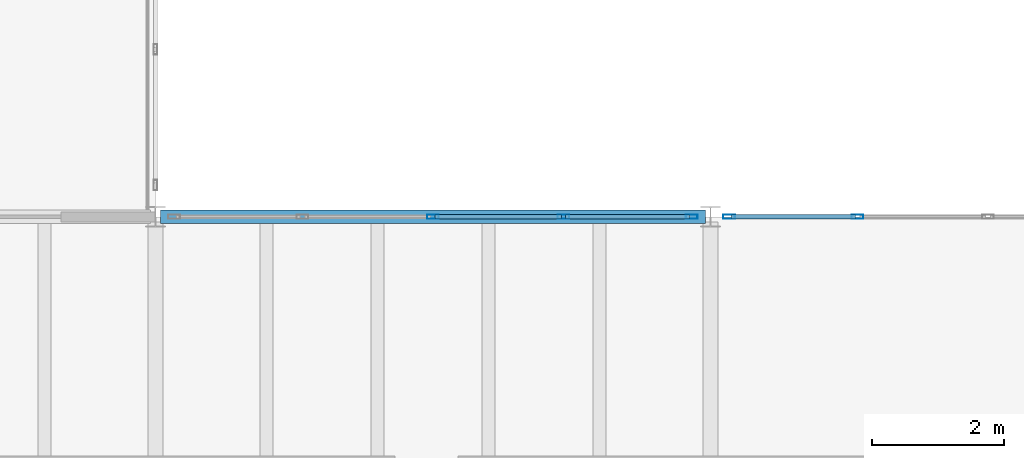
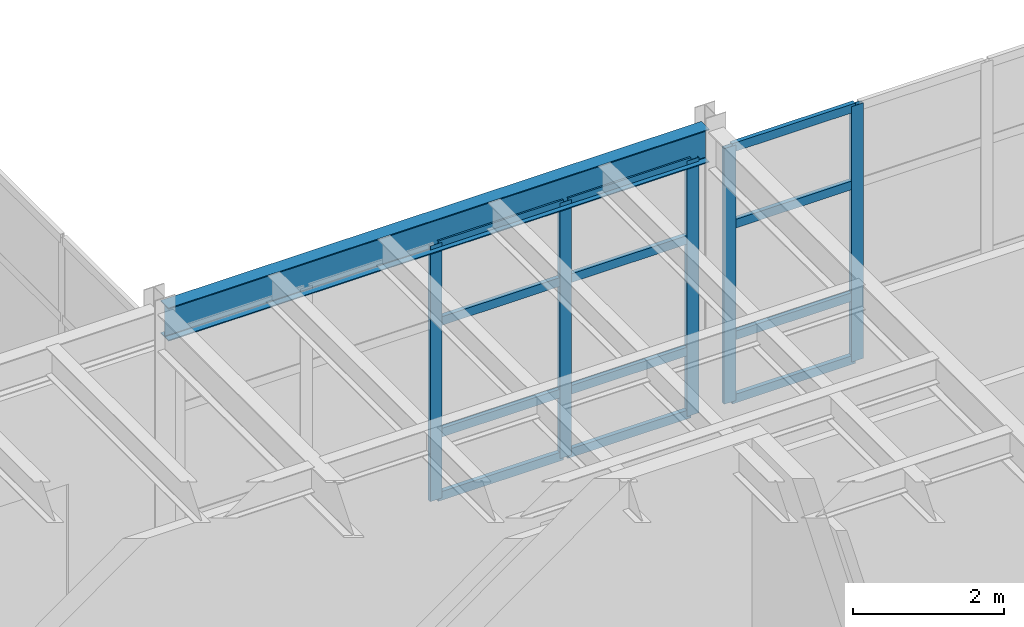
# One storey, part 49 of 105: 17 members, 1 beam, 2 elements without a shape of their own.
"""IFC4 building model written with IfcOpenShell, lengths in metres."""

import ifcopenshell
import ifcopenshell.guid

model = None  # the IFC model being written
_history = None  # IfcOwnerHistory: only IFC2X3 demands one
_inside = {}  # id of a spatial element -> (the spatial element, [elements in it])
_under = {}  # id of a project, library or spatial element -> (it, [spatial elements below it])
_declared = {}  # id of a project -> (the project, [libraries it declares])
_typed = {}  # id of a type object -> (the type object, [elements of that type])
_made_of = {}  # id of a material, layer set ... -> (it, [elements and type objects made of it])


def new_model(schema):
    """Start an empty IFC model of exactly this schema.

    Asked for "IFC4X3", IfcOpenShell would pick the latest addendum, in which some entities
    have other attributes; the version numbers below select the first issue.
    IFC2X3 requires an IfcOwnerHistory on every rooted entity: one is made here for all.
    """
    global model, _history
    if schema == "IFC4X3":
        model = ifcopenshell.file(schema_version=(4, 3, 0, 0))
    else:
        model = ifcopenshell.file(schema=schema)
    _inside.clear()
    _under.clear()
    _declared.clear()
    _typed.clear()
    _made_of.clear()
    _history = None
    if model.schema == "IFC2X3":
        org = make("IfcOrganization", Name="unknown")
        user = make(
            "IfcPersonAndOrganization",
            ThePerson=make("IfcPerson", FamilyName="unknown"),
            TheOrganization=org,
        )
        app = make(
            "IfcApplication",
            ApplicationDeveloper=org,
            Version="unknown",
            ApplicationFullName="unknown",
            ApplicationIdentifier="unknown",
        )
        _history = make(
            "IfcOwnerHistory",
            OwningUser=user,
            OwningApplication=app,
            ChangeAction="ADDED",
            CreationDate=0,
        )
    return model


def make(cls, **values):
    """One entity of the class cls with the attributes given. An attribute that is None is left unset."""
    return model.create_entity(
        cls, **{name: value for name, value in values.items() if value is not None}
    )


def rooted(cls, **values):
    """An entity with a GlobalId (a new one), such as an element, a storey or a relation."""
    return make(cls, GlobalId=ifcopenshell.guid.new(), OwnerHistory=_history, **values)


def si_unit(unit_type, name, prefix=None):
    """IfcSIUnit, for example si_unit("LENGTHUNIT", "METRE", prefix="MILLI")."""
    return make("IfcSIUnit", UnitType=unit_type, Prefix=prefix, Name=name)


def assignment(units):
    """IfcUnitAssignment: the units of a project."""
    return None if units is None else make("IfcUnitAssignment", Units=units)


def point(xyz):
    """IfcCartesianPoint."""
    return None if xyz is None else make("IfcCartesianPoint", Coordinates=xyz)


def direction(xyz):
    """IfcDirection."""
    return None if xyz is None else make("IfcDirection", DirectionRatios=xyz)


def frame(location, z_axis=None, x_axis=None):
    """IfcAxis2Placement3D, a coordinate frame: its origin and axes. An axis left out is left unset."""
    return make(
        "IfcAxis2Placement3D",
        Location=point(location),
        Axis=direction(z_axis),
        RefDirection=direction(x_axis),
    )


def frame_2d(location, x_axis=None):
    """IfcAxis2Placement2D, a coordinate frame in the plane: its origin and x axis."""
    return make(
        "IfcAxis2Placement2D", Location=point(location), RefDirection=direction(x_axis)
    )


def origin():
    """The frame at (0, 0, 0) with its axes left unset."""
    return frame((0.0, 0.0, 0.0))


def origin_2d():
    """The frame at (0, 0) in the plane with its x axis left unset."""
    return frame_2d((0.0, 0.0))


def place(relative_to, where):
    """IfcLocalPlacement: puts the frame where relative to a parent placement (None: the world)."""
    return make(
        "IfcLocalPlacement", PlacementRelTo=relative_to, RelativePlacement=where
    )


def context(
    kind, dimensions, precision=None, world=None, true_north=None, identifier=None
):
    """IfcGeometricRepresentationContext, for example the 3D "Model" context."""
    return make(
        "IfcGeometricRepresentationContext",
        ContextIdentifier=identifier,
        ContextType=kind,
        CoordinateSpaceDimension=dimensions,
        Precision=precision,
        WorldCoordinateSystem=world,
        TrueNorth=true_north,
    )


def subcontext(parent, identifier, kind, view, scale=None):
    """IfcGeometricRepresentationSubContext, for example "Body" below "Model"."""
    return make(
        "IfcGeometricRepresentationSubContext",
        ContextIdentifier=identifier,
        ContextType=kind,
        ParentContext=parent,
        TargetScale=scale,
        TargetView=view,
    )


def project(units=None, contexts=None):
    """IfcProject with its units and contexts."""
    return rooted(
        "IfcProject",
        Name="project",
        RepresentationContexts=contexts,
        UnitsInContext=assignment(units),
    )


def spatial(cls, under=None, at=None, **own):
    """A site, building, storey or space (cls), placed at a placement, below another one or the project."""
    s = rooted(cls, ObjectPlacement=at, **own)
    if under is not None:
        _under.setdefault(under.id(), (under, []))[1].append(s)
    return s


def profile(cls, at=None, kind="AREA", **sizes):
    """A parametric profile (cls). Its sizes go by their IFC names, for example OverallWidth=200.0."""
    return make(cls, ProfileType=kind, Position=at, **sizes)


def hollow_rectangle(**sizes):
    """IfcRectangleHollowProfileDef."""
    return profile("IfcRectangleHollowProfileDef", **sizes)


def i_section(**sizes):
    """IfcIShapeProfileDef."""
    return profile("IfcIShapeProfileDef", **sizes)


def extrude(swept, where, along, depth):
    """IfcExtrudedAreaSolid: the profile swept, set in the frame where, extruded along a direction by depth."""
    return make(
        "IfcExtrudedAreaSolid",
        SweptArea=swept,
        Position=where,
        ExtrudedDirection=direction(along),
        Depth=depth,
    )


def shape(context_of_items, identifier, shape_type, items):
    """IfcShapeRepresentation: the items that make up one representation, for example the "Body"."""
    return make(
        "IfcShapeRepresentation",
        ContextOfItems=context_of_items,
        RepresentationIdentifier=identifier,
        RepresentationType=shape_type,
        Items=items,
    )


def material(Name=None, Category=None):
    """IfcMaterial."""
    return make("IfcMaterial", Name=Name, Category=Category)


def layer(
    of_material, thickness, ventilated=None, Name=None, Category=None, Priority=None
):
    """IfcMaterialLayer: one layer of a wall or slab, of a material (None: an air gap)."""
    return make(
        "IfcMaterialLayer",
        Material=of_material,
        LayerThickness=thickness,
        IsVentilated=ventilated,
        Name=Name,
        Category=Category,
        Priority=Priority,
    )


def layer_set(layers, Name=None):
    """IfcMaterialLayerSet."""
    return make("IfcMaterialLayerSet", MaterialLayers=layers, LayerSetName=Name)


def material_profile(
    of_material, cross_section, Name=None, Category=None, Priority=None
):
    """IfcMaterialProfile: a cross section and its material."""
    return make(
        "IfcMaterialProfile",
        Name=Name,
        Material=of_material,
        Profile=cross_section,
        Priority=Priority,
        Category=Category,
    )


def profile_set(profiles, Name=None, composite=None):
    """IfcMaterialProfileSet."""
    return make(
        "IfcMaterialProfileSet",
        Name=Name,
        MaterialProfiles=profiles,
        CompositeProfile=composite,
    )


def made_of(thing, what):
    """Note that an element or type object is made of a material, layer set ...; save() writes the relation."""
    if what is not None:
        _made_of.setdefault(what.id(), (what, []))[1].append(thing)
    return thing


def type_object(cls, material=None, **own):
    """A type object (cls), such as IfcWallType, which elements share."""
    return made_of(rooted(cls, **own), material)


def element(
    cls,
    number,
    at=None,
    inside=None,
    cuts=None,
    type_object=None,
    material=None,
    context=None,
    identifier="Body",
    shape_type=None,
    held_by="IfcProductDefinitionShape",
    body=None,
    shapes=None,
    **own,
):
    """One element of the class cls, such as IfcWall. Its Tag is "e" and its number.

    at: its placement. inside: the storey or other place that contains it. cuts: it is an
    opening in that element (IfcRelVoidsElement). A single representation is given by context,
    identifier, shape_type and body (its items); several are given by shapes. held_by: the class
    of the entity that holds the representations. save() writes the other relations.
    """
    e = rooted(cls, Tag="e%d" % number, ObjectPlacement=at, **own)
    if body is not None:
        shapes = [shape(context, identifier, shape_type, body)]
    if shapes is not None:
        e.Representation = make(held_by, Representations=shapes)
    if inside is not None:
        _inside.setdefault(inside.id(), (inside, []))[1].append(e)
    if cuts is not None:
        rooted(
            "IfcRelVoidsElement", RelatingBuildingElement=cuts, RelatedOpeningElement=e
        )
    if type_object is not None:
        _typed.setdefault(type_object.id(), (type_object, []))[1].append(e)
    return made_of(e, material)


def aggregate(whole, parts):
    """IfcRelAggregates: a whole, such as a stair, and the parts it consists of."""
    return rooted("IfcRelAggregates", RelatingObject=whole, RelatedObjects=parts)


def save(model, path):
    """Write the relations noted so far, then the file.

    IfcRelAggregates (storeys below a building ...), IfcRelContainedInSpatialStructure (elements
    in a storey), IfcRelDefinesByType, IfcRelAssociatesMaterial and IfcRelDeclares: one each for
    every whole, place, type object, material and project.
    """
    for whole, parts in _under.values():
        aggregate(whole, parts)
    for where, things in _inside.values():
        rooted(
            "IfcRelContainedInSpatialStructure",
            RelatedElements=things,
            RelatingStructure=where,
        )
    for kind, things in _typed.values():
        rooted("IfcRelDefinesByType", RelatedObjects=things, RelatingType=kind)
    for what, things in _made_of.values():
        rooted("IfcRelAssociatesMaterial", RelatedObjects=things, RelatingMaterial=what)
    for by, libraries in _declared.values():
        rooted("IfcRelDeclares", RelatingContext=by, RelatedDefinitions=libraries)
    model.write(path)


model = new_model("IFC4")

# Units and contexts
model_context = context("Model", 3, precision=1e-05, world=origin(), true_north=direction((0.0, 1.0)))
body_context = subcontext(model_context, "Body", "Model", "MODEL_VIEW")
ifc_project = project(units=[si_unit("LENGTHUNIT", "METRE"), si_unit("AREAUNIT", "SQUARE_METRE"), si_unit("VOLUMEUNIT", "CUBIC_METRE"), si_unit("PLANEANGLEUNIT", "RADIAN"), si_unit("MASSUNIT", "GRAM", prefix="KILO")], contexts=[model_context])

# Site, building, storey
site_placement = place(None, origin())
site = spatial("IfcSite", under=ifc_project, at=site_placement, CompositionType="ELEMENT")
building_placement = place(site_placement, origin())
building = spatial("IfcBuilding", under=site, at=building_placement, Name="Selat Folded Stagehouse", CompositionType="ELEMENT")
storey_placement = place(building_placement, frame((0.0, 0.0, 10.199951171875)))
storey = spatial("IfcBuildingStorey", under=building, at=storey_placement, Name="L02", CompositionType="ELEMENT", Elevation=10.199951171875)

# Beam
ifc_material_1 = material(Name="Steel S355", Category="steel")
ifc_material_profile_1 = material_profile(ifc_material_1, i_section(OverallWidth=0.209228515625, OverallDepth=0.533203125, WebThickness=0.010009765625, FlangeThickness=0.015625, FilletRadius=0.0126953125, at=origin_2d()), Name="UKB 533x210x92")
ifc_profile_set_1 = profile_set([ifc_material_profile_1], Name="Steel S355")
beam_type = type_object("IfcBeamType", Name="BM-GIRD-533x210x92", PredefinedType="BEAM", material=ifc_profile_set_1)
beam_placement = place(storey_placement, frame((100.876953125, 17.800048828125, 4.308349609375), z_axis=(1.0, 0.0, 0.0), x_axis=(0.0, 1.0, 0.0)))
element("IfcBeam", 1, at=beam_placement, inside=storey, type_object=beam_type, Name="L02 primary x-girder 1007", PredefinedType="BEAM", context=body_context, shape_type="SweptSolid", body=[
    extrude(i_section(OverallWidth=0.209228515625, OverallDepth=0.533203125, WebThickness=0.010009765625, FlangeThickness=0.015625, FilletRadius=0.0126953125, at=origin_2d()), origin(), (0.0, 0.0, 1.0), 8.24609375),
])

# Curtain wall, members
ifc_material_2 = material(Name="Aluminium 6063-T6", Category="aluminium")
ifc_layer = layer(ifc_material_2, 0.195068359375)
ifc_layer_set = layer_set([ifc_layer], Name="Aluminium 6063-T6")
curtain_wall_type = type_object("IfcCurtainWallType", Name="CW-FYR-COURT", PredefinedType="NOTDEFINED", material=ifc_layer_set)
curtain_wall_1_placement = place(storey_placement, origin())
curtain_wall_1 = element("IfcCurtainWall", 2, at=curtain_wall_1_placement, inside=storey, type_object=curtain_wall_type, Name="L02 curtain wall CW-FYR-L02-12", PredefinedType="NOTDEFINED")
ifc_material_profile_2 = material_profile(ifc_material_2, hollow_rectangle(XDim=0.06494140625, YDim=0.179931640625, WallThickness=0.00390625, at=origin_2d()), Name="ALU 180x65x4.0")
ifc_profile_set_2 = profile_set([ifc_material_profile_2], Name="Aluminium 6063-T6")
member_type_1 = type_object("IfcMemberType", Name="CWM-MUL-180x65", PredefinedType="MULLION", material=ifc_profile_set_2)
member_1_placement = place(storey_placement, frame((105.0, 17.800048828125, 0.0), z_axis=(0.0, 0.0, 1.0), x_axis=(0.0, 1.0, 0.0)))
member_1 = element("IfcMember", 3, at=member_1_placement, type_object=member_type_1, Name="CW-05 mullion 3", PredefinedType="MULLION", context=body_context, shape_type="SweptSolid", body=[
    extrude(hollow_rectangle(XDim=0.06494140625, YDim=0.179931640625, WallThickness=0.00390625, at=origin_2d()), origin(), (0.0, 0.0, 1.0), 4.1201171875),
])
member_2_placement = place(storey_placement, frame((106.97509765625, 17.800048828125, 0.0), z_axis=(0.0, 0.0, 1.0), x_axis=(0.0, 1.0, 0.0)))
member_2 = element("IfcMember", 4, at=member_2_placement, type_object=member_type_1, Name="CW-05 mullion 4", PredefinedType="MULLION", context=body_context, shape_type="SweptSolid", body=[
    extrude(hollow_rectangle(XDim=0.06494140625, YDim=0.179931640625, WallThickness=0.00390625, at=origin_2d()), origin(), (0.0, 0.0, 1.0), 4.1201171875),
])
member_3_placement = place(storey_placement, frame((108.91748046875, 17.800048828125, 0.0), z_axis=(0.0, 0.0, 1.0), x_axis=(0.0, 1.0, 0.0)))
member_3 = element("IfcMember", 5, at=member_3_placement, type_object=member_type_1, Name="CW-05 mullion 5", PredefinedType="MULLION", context=body_context, shape_type="SweptSolid", body=[
    extrude(hollow_rectangle(XDim=0.06494140625, YDim=0.179931640625, WallThickness=0.00390625, at=origin_2d()), origin(), (0.0, 0.0, 1.0), 4.1201171875),
])

curtain_wall_2_placement = place(storey_placement, origin())
curtain_wall_2 = element("IfcCurtainWall", 6, at=curtain_wall_2_placement, inside=storey, type_object=curtain_wall_type, Name="L02 curtain wall CW-FYR-L02-13", PredefinedType="NOTDEFINED")
member_4_placement = place(storey_placement, frame((109.482421875, 17.800048828125, 0.0), z_axis=(0.0, 0.0, 1.0), x_axis=(0.0, 1.0, 0.0)))
member_4 = element("IfcMember", 7, at=member_4_placement, type_object=member_type_1, Name="CW-05 mullion 1", PredefinedType="MULLION", context=body_context, shape_type="SweptSolid", body=[
    extrude(hollow_rectangle(XDim=0.06494140625, YDim=0.179931640625, WallThickness=0.00390625, at=origin_2d()), origin(), (0.0, 0.0, 1.0), 4.1201171875),
])
member_5_placement = place(storey_placement, frame((111.425048828125, 17.800048828125, 0.0), z_axis=(0.0, 0.0, 1.0), x_axis=(0.0, 1.0, 0.0)))
member_5 = element("IfcMember", 8, at=member_5_placement, type_object=member_type_1, Name="CW-05 mullion 2", PredefinedType="MULLION", context=body_context, shape_type="SweptSolid", body=[
    extrude(hollow_rectangle(XDim=0.06494140625, YDim=0.179931640625, WallThickness=0.00390625, at=origin_2d()), origin(), (0.0, 0.0, 1.0), 4.1201171875),
])

# Member
ifc_material_profile_3 = material_profile(ifc_material_2, hollow_rectangle(XDim=0.06494140625, YDim=0.139892578125, WallThickness=0.00390625, at=origin_2d()), Name="ALU 140x65x4.0")
ifc_profile_set_3 = profile_set([ifc_material_profile_3], Name="Aluminium 6063-T6")
member_type_2 = type_object("IfcMemberType", Name="CWM-TRN-140x65", PredefinedType="USERDEFINED", material=ifc_profile_set_3)
member_6_placement = place(storey_placement, frame((105.032470703125, 17.800048828125, 0.032470703125), z_axis=(1.0, 0.0, 0.0), x_axis=(0.0, 1.0, 0.0)))
member_6 = element("IfcMember", 9, at=member_6_placement, type_object=member_type_2, Name="CW-05 transom 3.1", ObjectType="TRANSOM", PredefinedType="USERDEFINED", context=body_context, shape_type="SweptSolid", body=[
    extrude(hollow_rectangle(XDim=0.06494140625, YDim=0.139892578125, WallThickness=0.00390625, at=origin_2d()), origin(), (0.0, 0.0, 1.0), 1.909912109375),
])

member_7_placement = place(storey_placement, frame((105.032470703125, 17.800048828125, 1.050048828125), z_axis=(1.0, 0.0, 0.0), x_axis=(0.0, 1.0, 0.0)))
member_7 = element("IfcMember", 10, at=member_7_placement, type_object=member_type_2, Name="CW-05 transom 3.2", ObjectType="TRANSOM", PredefinedType="USERDEFINED", context=body_context, shape_type="SweptSolid", body=[
    extrude(hollow_rectangle(XDim=0.06494140625, YDim=0.139892578125, WallThickness=0.00390625, at=origin_2d()), origin(), (0.0, 0.0, 1.0), 1.909912109375),
])

member_8_placement = place(storey_placement, frame((105.032470703125, 17.800048828125, 2.85009765625), z_axis=(1.0, 0.0, 0.0), x_axis=(0.0, 1.0, 0.0)))
member_8 = element("IfcMember", 11, at=member_8_placement, type_object=member_type_2, Name="CW-05 transom 3.3", ObjectType="TRANSOM", PredefinedType="USERDEFINED", context=body_context, shape_type="SweptSolid", body=[
    extrude(hollow_rectangle(XDim=0.06494140625, YDim=0.139892578125, WallThickness=0.00390625, at=origin_2d()), origin(), (0.0, 0.0, 1.0), 1.909912109375),
])

member_9_placement = place(storey_placement, frame((105.032470703125, 17.800048828125, 4.087646484375), z_axis=(1.0, 0.0, 0.0), x_axis=(0.0, 1.0, 0.0)))
member_9 = element("IfcMember", 12, at=member_9_placement, type_object=member_type_2, Name="CW-05 transom 3.4", ObjectType="TRANSOM", PredefinedType="USERDEFINED", context=body_context, shape_type="SweptSolid", body=[
    extrude(hollow_rectangle(XDim=0.06494140625, YDim=0.139892578125, WallThickness=0.00390625, at=origin_2d()), origin(), (0.0, 0.0, 1.0), 1.909912109375),
])

member_10_placement = place(storey_placement, frame((107.007568359375, 17.800048828125, 0.032470703125), z_axis=(1.0, 0.0, 0.0), x_axis=(0.0, 1.0, 0.0)))
member_10 = element("IfcMember", 13, at=member_10_placement, type_object=member_type_2, Name="CW-05 transom 4.1", ObjectType="TRANSOM", PredefinedType="USERDEFINED", context=body_context, shape_type="SweptSolid", body=[
    extrude(hollow_rectangle(XDim=0.06494140625, YDim=0.139892578125, WallThickness=0.00390625, at=origin_2d()), origin(), (0.0, 0.0, 1.0), 1.87744140625),
])

member_11_placement = place(storey_placement, frame((107.007568359375, 17.800048828125, 1.050048828125), z_axis=(1.0, 0.0, 0.0), x_axis=(0.0, 1.0, 0.0)))
member_11 = element("IfcMember", 14, at=member_11_placement, type_object=member_type_2, Name="CW-05 transom 4.2", ObjectType="TRANSOM", PredefinedType="USERDEFINED", context=body_context, shape_type="SweptSolid", body=[
    extrude(hollow_rectangle(XDim=0.06494140625, YDim=0.139892578125, WallThickness=0.00390625, at=origin_2d()), origin(), (0.0, 0.0, 1.0), 1.87744140625),
])

member_12_placement = place(storey_placement, frame((107.007568359375, 17.800048828125, 2.85009765625), z_axis=(1.0, 0.0, 0.0), x_axis=(0.0, 1.0, 0.0)))
member_12 = element("IfcMember", 15, at=member_12_placement, type_object=member_type_2, Name="CW-05 transom 4.3", ObjectType="TRANSOM", PredefinedType="USERDEFINED", context=body_context, shape_type="SweptSolid", body=[
    extrude(hollow_rectangle(XDim=0.06494140625, YDim=0.139892578125, WallThickness=0.00390625, at=origin_2d()), origin(), (0.0, 0.0, 1.0), 1.87744140625),
])

member_13_placement = place(storey_placement, frame((107.007568359375, 17.800048828125, 4.087646484375), z_axis=(1.0, 0.0, 0.0), x_axis=(0.0, 1.0, 0.0)))
member_13 = element("IfcMember", 16, at=member_13_placement, type_object=member_type_2, Name="CW-05 transom 4.4", ObjectType="TRANSOM", PredefinedType="USERDEFINED", context=body_context, shape_type="SweptSolid", body=[
    extrude(hollow_rectangle(XDim=0.06494140625, YDim=0.139892578125, WallThickness=0.00390625, at=origin_2d()), origin(), (0.0, 0.0, 1.0), 1.87744140625),
])

aggregate(curtain_wall_1, [member_1, member_2, member_3, member_6, member_7, member_8, member_9, member_10, member_11, member_12, member_13])

member_14_placement = place(storey_placement, frame((109.514892578125, 17.800048828125, 0.032470703125), z_axis=(1.0, 0.0, 0.0), x_axis=(0.0, 1.0, 0.0)))
member_14 = element("IfcMember", 17, at=member_14_placement, type_object=member_type_2, Name="CW-05 transom 1.1", ObjectType="TRANSOM", PredefinedType="USERDEFINED", context=body_context, shape_type="SweptSolid", body=[
    extrude(hollow_rectangle(XDim=0.06494140625, YDim=0.139892578125, WallThickness=0.00390625, at=origin_2d()), origin(), (0.0, 0.0, 1.0), 1.877685546875),
])

member_15_placement = place(storey_placement, frame((109.514892578125, 17.800048828125, 1.050048828125), z_axis=(1.0, 0.0, 0.0), x_axis=(0.0, 1.0, 0.0)))
member_15 = element("IfcMember", 18, at=member_15_placement, type_object=member_type_2, Name="CW-05 transom 1.2", ObjectType="TRANSOM", PredefinedType="USERDEFINED", context=body_context, shape_type="SweptSolid", body=[
    extrude(hollow_rectangle(XDim=0.06494140625, YDim=0.139892578125, WallThickness=0.00390625, at=origin_2d()), origin(), (0.0, 0.0, 1.0), 1.877685546875),
])

member_16_placement = place(storey_placement, frame((109.514892578125, 17.800048828125, 2.85009765625), z_axis=(1.0, 0.0, 0.0), x_axis=(0.0, 1.0, 0.0)))
member_16 = element("IfcMember", 19, at=member_16_placement, type_object=member_type_2, Name="CW-05 transom 1.3", ObjectType="TRANSOM", PredefinedType="USERDEFINED", context=body_context, shape_type="SweptSolid", body=[
    extrude(hollow_rectangle(XDim=0.06494140625, YDim=0.139892578125, WallThickness=0.00390625, at=origin_2d()), origin(), (0.0, 0.0, 1.0), 1.877685546875),
])

member_17_placement = place(storey_placement, frame((109.514892578125, 17.800048828125, 4.087646484375), z_axis=(1.0, 0.0, 0.0), x_axis=(0.0, 1.0, 0.0)))
member_17 = element("IfcMember", 20, at=member_17_placement, type_object=member_type_2, Name="CW-05 transom 1.4", ObjectType="TRANSOM", PredefinedType="USERDEFINED", context=body_context, shape_type="SweptSolid", body=[
    extrude(hollow_rectangle(XDim=0.06494140625, YDim=0.139892578125, WallThickness=0.00390625, at=origin_2d()), origin(), (0.0, 0.0, 1.0), 1.877685546875),
])

aggregate(curtain_wall_2, [member_4, member_5, member_14, member_15, member_16, member_17])

save(model, "model.ifc")
